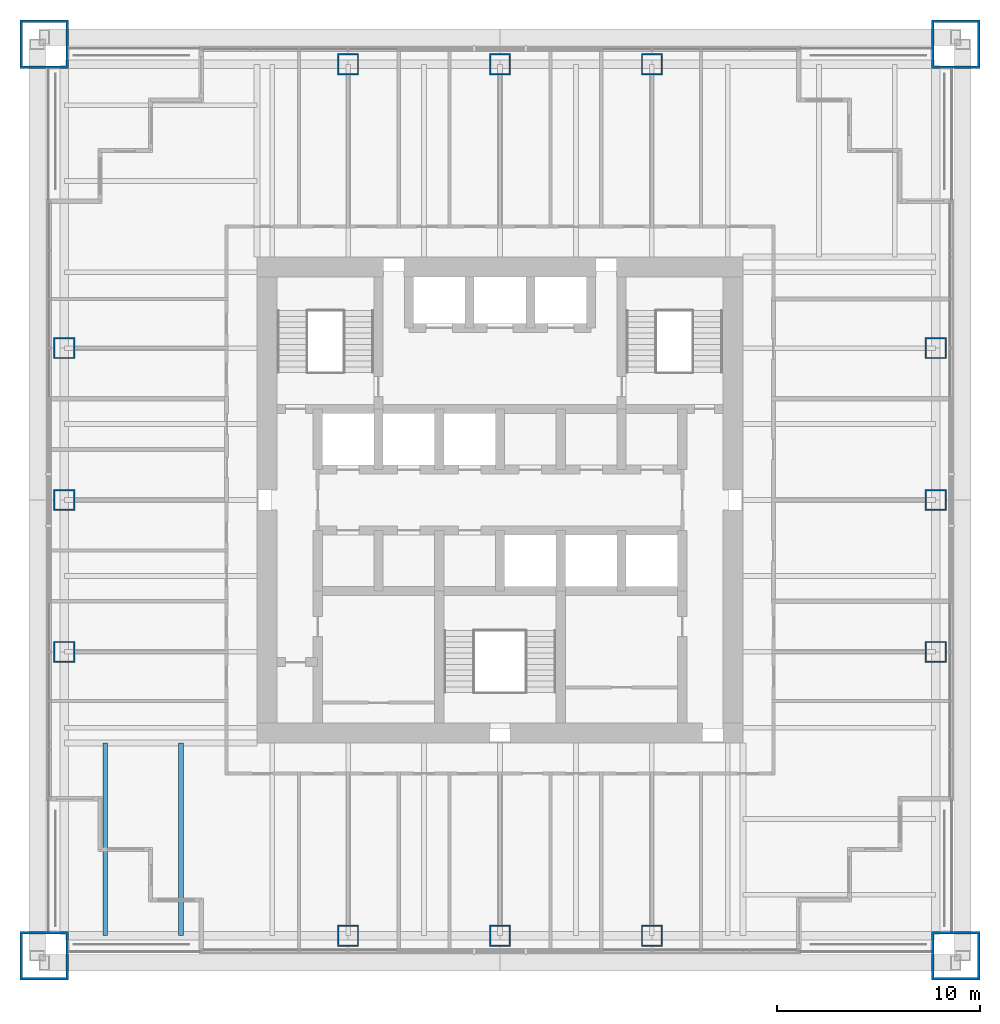
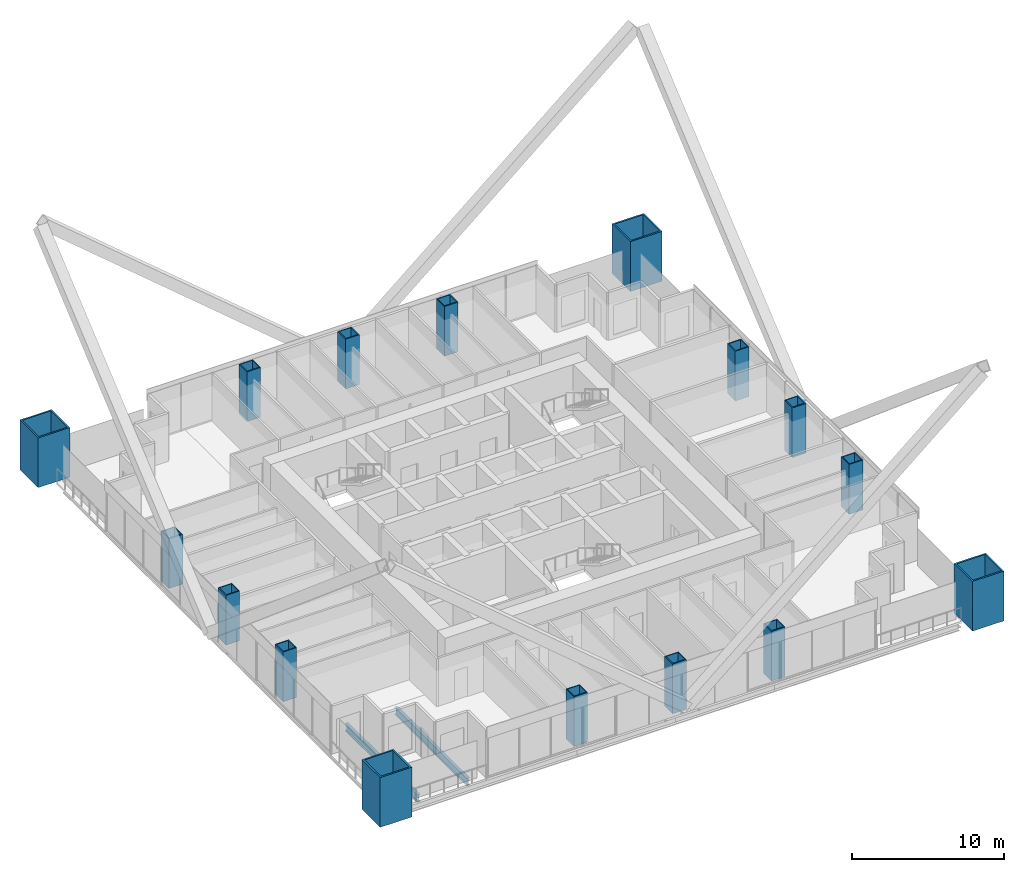
# One storey, part 1 of 17: 16 columns, 2 beams.
"""IFC4 building model written with IfcOpenShell, lengths in metres."""

from ifc_helpers import new_model, si_unit, direction, frame, origin, origin_2d, place, context, subcontext, project, spatial, hollow_rectangle, i_section, extrude, material, material_profile, profile_set, type_object, element, save


model = new_model("IFC4")

# Units and contexts
model_context = context("Model", 3, precision=1e-05, world=origin(), true_north=direction((0.0, 1.0)))
body_context = subcontext(model_context, "Body", "Model", "MODEL_VIEW")
ifc_project = project(units=[si_unit("LENGTHUNIT", "METRE"), si_unit("AREAUNIT", "SQUARE_METRE"), si_unit("VOLUMEUNIT", "CUBIC_METRE"), si_unit("PLANEANGLEUNIT", "RADIAN"), si_unit("MASSUNIT", "GRAM", prefix="KILO")], contexts=[model_context])

# Site, building, storey
site_placement = place(None, origin())
site = spatial("IfcSite", under=ifc_project, at=site_placement, CompositionType="ELEMENT")
building_placement = place(site_placement, origin())
building = spatial("IfcBuilding", under=site, at=building_placement, Name="Tarangal Relay Tower", CompositionType="ELEMENT")
storey_placement = place(building_placement, frame((0.0, 0.0, 233.89990234375)))
storey = spatial("IfcBuildingStorey", under=building, at=storey_placement, Name="L50", CompositionType="ELEMENT", Elevation=233.89990234375)

# Columns
ifc_material_1 = material(Name="Steel ASTM A572 Grade 42", Category="steel")
ifc_material_profile_1 = material_profile(ifc_material_1, hollow_rectangle(XDim=2.39990234375, YDim=2.39990234375, WallThickness=0.1201171875, at=origin_2d()), Name="BOX2400X2400X120")
ifc_profile_set_1 = profile_set([ifc_material_profile_1], Name="Steel ASTM A572 Grade 42")
column_type_1 = type_object("IfcColumnType", Name="Mega column BOX2400X2400X120", PredefinedType="COLUMN", material=ifc_profile_set_1)
for number, where, z_axis, x_axis, name in (
    (1, (22.5, 22.5, 0.0), (0.0, 0.0, 1.0), (1.0, 0.0, 0.0), "Mega column MC3 NE L50"),
    (2, (22.5, -22.5, 0.0), (0.0, 0.0, 1.0), (1.0, 0.0, 0.0), "Mega column MC3 SE L50"),
    (3, (-22.5, -22.5, 0.0), (0.0, 0.0, 1.0), (1.0, 0.0, 0.0), "Mega column MC3 SW L50"),
    (4, (-22.5, 22.5, 0.0), (0.0, 0.0, 1.0), (1.0, 0.0, 0.0), "Mega column MC3 NW L50"),
):
    element("IfcColumn", number, at=place(storey_placement, frame(where, z_axis=z_axis, x_axis=x_axis)), inside=storey, type_object=column_type_1, Name=name, PredefinedType="COLUMN", context=body_context, shape_type="SweptSolid", body=[
        extrude(hollow_rectangle(XDim=2.39990234375, YDim=2.39990234375, WallThickness=0.1201171875, at=origin_2d()), origin(), (0.0, 0.0, 1.0), 4.0),
    ])
ifc_material_2 = material(Name="Steel ASTM A572 Grade 50", Category="steel")
ifc_material_profile_2 = material_profile(ifc_material_2, hollow_rectangle(XDim=1.050048828125, YDim=1.050048828125, WallThickness=0.070068359375, at=origin_2d()), Name="BOX1050X1050X70")
ifc_profile_set_2 = profile_set([ifc_material_profile_2], Name="Steel ASTM A572 Grade 50")
column_type_2 = type_object("IfcColumnType", Name="Perimeter column BOX1050X1050X70", PredefinedType="COLUMN", material=ifc_profile_set_2)
for number, where, z_axis, x_axis, name in (
    (5, (-7.5, 21.514892578125, 0.0), (0.0, 0.0, 1.0), (1.0, 0.0, 0.0), "Perimeter column PC4 N L50"),
    (6, (0.0, 21.514892578125, 0.0), (0.0, 0.0, 1.0), (1.0, 0.0, 0.0), "Perimeter column PC4 N L50"),
    (7, (7.5, 21.514892578125, 0.0), (0.0, 0.0, 1.0), (1.0, 0.0, 0.0), "Perimeter column PC4 N L50"),
    (8, (21.514892578125, 7.5, 0.0), (0.0, 0.0, 1.0), (1.0, 0.0, 0.0), "Perimeter column PC4 E L50"),
    (9, (21.514892578125, 0.0, 0.0), (0.0, 0.0, 1.0), (1.0, 0.0, 0.0), "Perimeter column PC4 E L50"),
    (10, (21.514892578125, -7.5, 0.0), (0.0, 0.0, 1.0), (1.0, 0.0, 0.0), "Perimeter column PC4 E L50"),
    (11, (7.5, -21.514892578125, 0.0), (0.0, 0.0, 1.0), (1.0, 0.0, 0.0), "Perimeter column PC4 S L50"),
    (12, (0.0, -21.514892578125, 0.0), (0.0, 0.0, 1.0), (1.0, 0.0, 0.0), "Perimeter column PC4 S L50"),
    (13, (-7.5, -21.514892578125, 0.0), (0.0, 0.0, 1.0), (1.0, 0.0, 0.0), "Perimeter column PC4 S L50"),
    (14, (-21.514892578125, -7.5, 0.0), (0.0, 0.0, 1.0), (1.0, 0.0, 0.0), "Perimeter column PC4 W L50"),
    (15, (-21.514892578125, 0.0, 0.0), (0.0, 0.0, 1.0), (1.0, 0.0, 0.0), "Perimeter column PC4 W L50"),
    (16, (-21.514892578125, 7.5, 0.0), (0.0, 0.0, 1.0), (1.0, 0.0, 0.0), "Perimeter column PC4 W L50"),
):
    element("IfcColumn", number, at=place(storey_placement, frame(where, z_axis=z_axis, x_axis=x_axis)), inside=storey, type_object=column_type_2, Name=name, PredefinedType="COLUMN", context=body_context, shape_type="SweptSolid", body=[
        extrude(hollow_rectangle(XDim=1.050048828125, YDim=1.050048828125, WallThickness=0.070068359375, at=origin_2d()), origin(), (0.0, 0.0, 1.0), 4.0),
    ])

# Beams
ifc_material_3 = material(Name="Steel ASTM A992", Category="steel")
ifc_material_profile_3 = material_profile(ifc_material_3, i_section(OverallWidth=0.227783203125, OverallDepth=0.60205078125, WebThickness=0.010498046875, FlangeThickness=0.014892578125, at=origin_2d()), Name="W24X68")
ifc_profile_set_3 = profile_set([ifc_material_profile_3], Name="Steel ASTM A992")
beam_type = type_object("IfcBeamType", Name="Corner beam W24X68", PredefinedType="JOIST", material=ifc_profile_set_3)
for number, where, z_axis, x_axis, name in (
    (17, (-15.75, -12.0, -0.450927734375), (0.0, -1.0, 0.0), (1.0, 0.0, 0.0), "Corner beam CB11 S L50"),
    (18, (-19.5, -12.0, -0.450927734375), (0.0, -1.0, 0.0), (1.0, 0.0, 0.0), "Corner beam CB11 S L50"),
):
    element("IfcBeam", number, at=place(storey_placement, frame(where, z_axis=z_axis, x_axis=x_axis)), inside=storey, type_object=beam_type, Name=name, PredefinedType="JOIST", context=body_context, shape_type="SweptSolid", body=[
        extrude(i_section(OverallWidth=0.227783203125, OverallDepth=0.60205078125, WebThickness=0.010498046875, FlangeThickness=0.014892578125, at=origin_2d()), origin(), (0.0, 0.0, 1.0), 9.514892578125),
    ])

save(model, "model.ifc")
